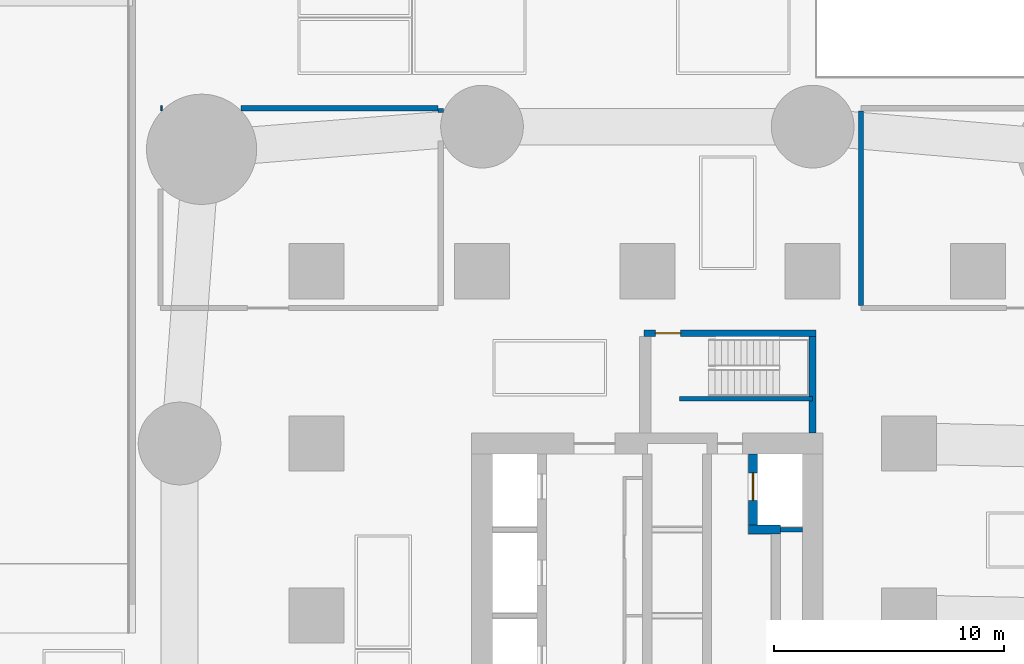
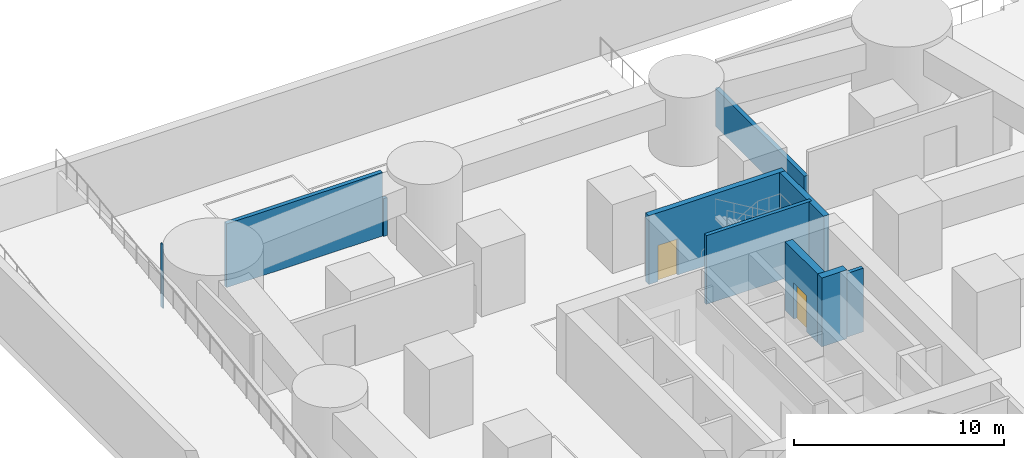
# One storey, part 3 of 8: 10 walls, 2 doors, 2 openings.
"""IFC4 building model written with IfcOpenShell, lengths in metres."""

from ifc_helpers import new_model, si_unit, direction, frame, frame_2d, origin, place, context, subcontext, project, spatial, rectangle, extrude, material, layer, layer_set, type_object, element, fill, save


model = new_model("IFC4")

# Units and contexts
model_context = context("Model", 3, precision=1e-05, world=origin(), true_north=direction((0.0, 1.0)))
body_context = subcontext(model_context, "Body", "Model", "MODEL_VIEW")
ifc_project = project(units=[si_unit("LENGTHUNIT", "METRE"), si_unit("AREAUNIT", "SQUARE_METRE"), si_unit("VOLUMEUNIT", "CUBIC_METRE"), si_unit("PLANEANGLEUNIT", "RADIAN"), si_unit("MASSUNIT", "GRAM", prefix="KILO")], contexts=[model_context])

# Site, building, storey
site_placement = place(None, origin())
site = spatial("IfcSite", under=ifc_project, at=site_placement, CompositionType="ELEMENT")
building_placement = place(site_placement, origin())
building = spatial("IfcBuilding", under=site, at=building_placement, Name="Sheger Commons Tower", CompositionType="ELEMENT")
storey_placement = place(building_placement, frame((0.0, 0.0, -4.0)))
storey = spatial("IfcBuildingStorey", under=building, at=storey_placement, Name="B1", CompositionType="ELEMENT", Elevation=-4.0)

# Wall
ifc_material_1 = material(Name="Concrete C50/60", Category="concrete")
ifc_layer_1 = layer(ifc_material_1, 0.39990234375)
ifc_layer_set_1 = layer_set([ifc_layer_1], Name="CORE INNER WALL 400")
wall_type_1 = type_object("IfcWallType", Name="CORE INNER WALL 400", PredefinedType="SHEAR", material=ifc_layer_set_1)
wall_1_placement = place(storey_placement, frame((26.0, 26.25, 0.0), z_axis=(0.0, 0.0, 1.0), x_axis=(1.0, 0.0, 0.0)))
element("IfcWall", 1, at=wall_1_placement, inside=storey, type_object=wall_type_1, Name="Core inner wall F north return B1", PredefinedType="SHEAR", context=body_context, shape_type="SweptSolid", body=[
    extrude(rectangle(XDim=1.39990234375, YDim=0.39990234375, at=frame_2d((0.699951171875, 0.0))), origin(), (0.0, 0.0, 1.0), 4.0),
])

# Wall, opening, door
wall_2_placement = place(storey_placement, frame((26.199951171875, 26.449951171875, 0.0), z_axis=(0.0, 0.0, 1.0), x_axis=(0.0, 1.0, 0.0)))
wall_2 = element("IfcWall", 2, at=wall_2_placement, inside=storey, type_object=wall_type_1, Name="Core inner wall F north B1", PredefinedType="SHEAR", context=body_context, shape_type="SweptSolid", body=[
    extrude(rectangle(XDim=3.10009765625, YDim=0.39990234375, at=frame_2d((1.550048828125, 0.0))), origin(), (0.0, 0.0, 1.0), 4.0),
])
opening_1_placement = place(wall_2_placement, frame((1.074951171875, 0.0, 0.0)))
opening_1 = element("IfcOpeningElement", 3, at=opening_1_placement, cuts=wall_2, Name="Opening LD2", PredefinedType="OPENING", context=body_context, shape_type="SweptSolid", body=[
    extrude(rectangle(XDim=1.199951171875, YDim=2.10009765625, at=frame_2d((0.60009765625, 1.050048828125))), frame((0.0, 0.2099609375, 0.0), z_axis=(0.0, -1.0, 0.0), x_axis=(1.0, 0.0, 0.0)), (0.0, 0.0, 1.0), 0.419921875),
])
ifc_material_2 = material(Name="Steel door set, fire rated", Category="steel")
door_type_1 = type_object("IfcDoorType", Name="FIREFIGHTING LIFT LANDING DOOR 1200x2100", OperationType="DOUBLE_DOOR_SLIDING", PredefinedType="DOOR", material=ifc_material_2)
door_1_placement = place(opening_1_placement, origin())
door_1 = element("IfcDoor", 4, at=door_1_placement, inside=storey, type_object=door_type_1, Name="Lift FL2 landing door", OperationType="DOUBLE_DOOR_SLIDING", OverallHeight=2.10009765625, OverallWidth=1.199951171875, PredefinedType="DOOR", context=body_context, shape_type="SweptSolid", body=[
    extrude(rectangle(XDim=1.199951171875, YDim=2.10009765625, at=frame_2d((0.60009765625, 1.050048828125))), frame((0.0, 0.02490234375, 0.0), z_axis=(0.0, -1.0, 0.0), x_axis=(1.0, 0.0, 0.0)), (0.0, 0.0, 1.0), 0.050048828125),
])
fill(opening_1, door_1)

# Walls
ifc_material_3 = material(Name="Dense concrete block masonry, skimmed both sides", Category="masonry")
ifc_layer_2 = layer(ifc_material_3, 0.22509765625)
ifc_layer_set_2 = layer_set([ifc_layer_2], Name="FIRE WALL 225")
wall_type_2 = type_object("IfcWallType", Name="FIRE WALL 225", PredefinedType="SOLIDWALL", material=ifc_layer_set_2)
wall_3_placement = place(storey_placement, frame((12.60009765625, 44.426025390625, 0.0), z_axis=(0.0, 0.0, 1.0), x_axis=(0.0, 1.0, 0.0)))
element("IfcWall", 5, at=wall_3_placement, inside=storey, type_object=wall_type_2, Name="Plant room wall B1", PredefinedType="SOLIDWALL", context=body_context, shape_type="SweptSolid", body=[
    extrude(rectangle(XDim=0.174072265625, YDim=0.22509765625, at=frame_2d((0.0869140625, 0.0))), origin(), (0.0, 0.0, 1.0), 2.199951171875),
])
wall_4_placement = place(storey_placement, frame((0.39990234375, 44.60009765625, 0.0), z_axis=(0.0, 0.0, 1.0), x_axis=(1.0, 0.0, 0.0)))
element("IfcWall", 6, at=wall_4_placement, inside=storey, type_object=wall_type_2, Name="Plant room wall B1", PredefinedType="SOLIDWALL", context=body_context, shape_type="SweptSolid", body=[
    extrude(rectangle(XDim=0.066162109375, YDim=0.22509765625, at=frame_2d((0.033203125, 0.0))), origin(), (0.0, 0.0, 1.0), 3.699951171875),
])
wall_5_placement = place(storey_placement, frame((3.906005859375, 44.60009765625, 0.0), z_axis=(0.0, 0.0, 1.0), x_axis=(1.0, 0.0, 0.0)))
element("IfcWall", 7, at=wall_5_placement, inside=storey, type_object=wall_type_2, Name="Plant room wall B1", PredefinedType="SOLIDWALL", context=body_context, shape_type="SweptSolid", body=[
    extrude(rectangle(XDim=8.5810546875, YDim=0.22509765625, at=frame_2d((4.29052734375, 0.0))), origin(), (0.0, 0.0, 1.0), 3.699951171875),
])
wall_6_placement = place(storey_placement, frame((30.89990234375, 36.011962890625, 0.0), z_axis=(0.0, 0.0, 1.0), x_axis=(0.0, 1.0, 0.0)))
element("IfcWall", 8, at=wall_6_placement, inside=storey, type_object=wall_type_2, Name="Plant room wall B1", PredefinedType="SOLIDWALL", context=body_context, shape_type="SweptSolid", body=[
    extrude(rectangle(XDim=8.47607421875, YDim=0.22509765625, at=frame_2d((4.238037109375, 0.0))), origin(), (0.0, 0.0, 1.0), 2.199951171875),
])
ifc_material_4 = material(Name="Hollow concrete block masonry", Category="masonry")
ifc_layer_3 = layer(ifc_material_4, 0.199951171875)
ifc_layer_set_3 = layer_set([ifc_layer_3], Name="SHAFT WALL 200")
wall_type_3 = type_object("IfcWallType", Name="SHAFT WALL 200", PredefinedType="SOLIDWALL", material=ifc_layer_set_3)
wall_7_placement = place(storey_placement, frame((27.39990234375, 26.25, 0.0), z_axis=(0.0, 0.0, 1.0), x_axis=(1.0, 0.0, 0.0)))
element("IfcWall", 9, at=wall_7_placement, inside=storey, type_object=wall_type_3, Name="Lift shaft wall B1", PredefinedType="SOLIDWALL", context=body_context, shape_type="SweptSolid", body=[
    extrude(rectangle(XDim=0.9501953125, YDim=0.199951171875, at=frame_2d((0.47509765625, 0.0))), origin(), (0.0, 0.0, 1.0), 3.699951171875),
])

# Wall, opening, door
ifc_material_5 = material(Name="Concrete C50/60", Category="concrete")
ifc_layer_4 = layer(ifc_material_5, 0.300048828125)
ifc_layer_set_4 = layer_set([ifc_layer_4], Name="STAIR CORE WALL 300")
wall_type_4 = type_object("IfcWallType", Name="STAIR CORE WALL 300", PredefinedType="SHEAR", material=ifc_layer_set_4)
wall_8_placement = place(storey_placement, frame((21.449951171875, 34.800048828125, 0.0), z_axis=(0.0, 0.0, 1.0), x_axis=(1.0, 0.0, 0.0)))
wall_8 = element("IfcWall", 10, at=wall_8_placement, inside=storey, type_object=wall_type_4, Name="STW-B1-S2N", PredefinedType="SHEAR", context=body_context, shape_type="SweptSolid", body=[
    extrude(rectangle(XDim=7.5, YDim=0.300048828125, at=frame_2d((3.75, 0.0))), origin(), (0.0, 0.0, 1.0), 4.0),
])
opening_2_placement = place(wall_8_placement, frame((0.5, 0.0, 0.0)))
opening_2 = element("IfcOpeningElement", 11, at=opening_2_placement, cuts=wall_8, Name="Opening D5", PredefinedType="OPENING", context=body_context, shape_type="SweptSolid", body=[
    extrude(rectangle(XDim=1.10009765625, YDim=2.10009765625, at=frame_2d((0.550048828125, 1.050048828125))), frame((0.0, 0.159912109375, 0.0), z_axis=(0.0, -1.0, 0.0), x_axis=(1.0, 0.0, 0.0)), (0.0, 0.0, 1.0), 0.320068359375),
])
ifc_material_6 = material(Name="Steel door set, fire rated", Category="steel")
door_type_2 = type_object("IfcDoorType", Name="STAIR DOOR 1100x2100", OperationType="NOTDEFINED", PredefinedType="DOOR", material=ifc_material_6)
door_2_placement = place(opening_2_placement, origin())
door_2 = element("IfcDoor", 12, at=door_2_placement, inside=storey, type_object=door_type_2, Name="Stair S2 door", OperationType="SINGLE_SWING_RIGHT", OverallHeight=2.10009765625, OverallWidth=1.10009765625, PredefinedType="DOOR", context=body_context, shape_type="SweptSolid", body=[
    extrude(rectangle(XDim=1.10009765625, YDim=2.10009765625, at=frame_2d((0.550048828125, 1.050048828125))), frame((0.0, 0.02490234375, 0.0), z_axis=(0.0, -1.0, 0.0), x_axis=(1.0, 0.0, 0.0)), (0.0, 0.0, 1.0), 0.050048828125),
])
fill(opening_2, door_2)

# Walls
wall_9_placement = place(storey_placement, frame((28.800048828125, 30.449951171875, 0.0), z_axis=(0.0, 0.0, 1.0), x_axis=(0.0, 1.0, 0.0)))
element("IfcWall", 13, at=wall_9_placement, inside=storey, type_object=wall_type_4, Name="STW-B1-S2E", PredefinedType="SHEAR", context=body_context, shape_type="SweptSolid", body=[
    extrude(rectangle(XDim=4.199951171875, YDim=0.300048828125, at=frame_2d((2.10009765625, 0.0))), origin(), (0.0, 0.0, 1.0), 4.0),
])
ifc_material_7 = material(Name="Concrete C50/60", Category="concrete")
ifc_layer_5 = layer(ifc_material_7, 0.199951171875)
ifc_layer_set_5 = layer_set([ifc_layer_5], Name="STAIR SPINE WALL 200")
wall_type_5 = type_object("IfcWallType", Name="STAIR SPINE WALL 200", PredefinedType="SHEAR", material=ifc_layer_set_5)
wall_10_placement = place(storey_placement, frame((23.0, 31.949951171875, 0.0), z_axis=(0.0, 0.0, 1.0), x_axis=(1.0, 0.0, 0.0)))
element("IfcWall", 14, at=wall_10_placement, inside=storey, type_object=wall_type_5, Name="Stair spine wall B1", PredefinedType="SHEAR", context=body_context, shape_type="SweptSolid", body=[
    extrude(rectangle(XDim=5.800048828125, YDim=0.199951171875, at=frame_2d((2.89990234375, 0.0))), origin(), (0.0, 0.0, 1.0), 4.0),
])

save(model, "model.ifc")
